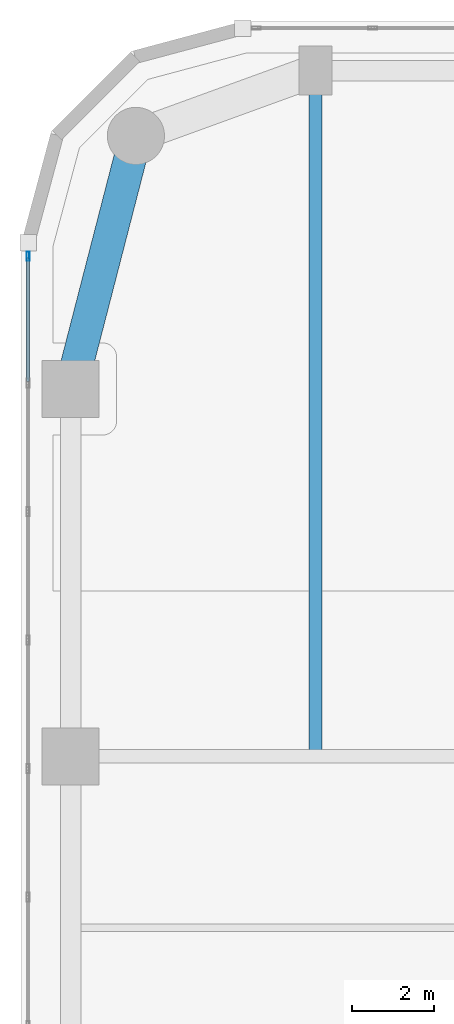
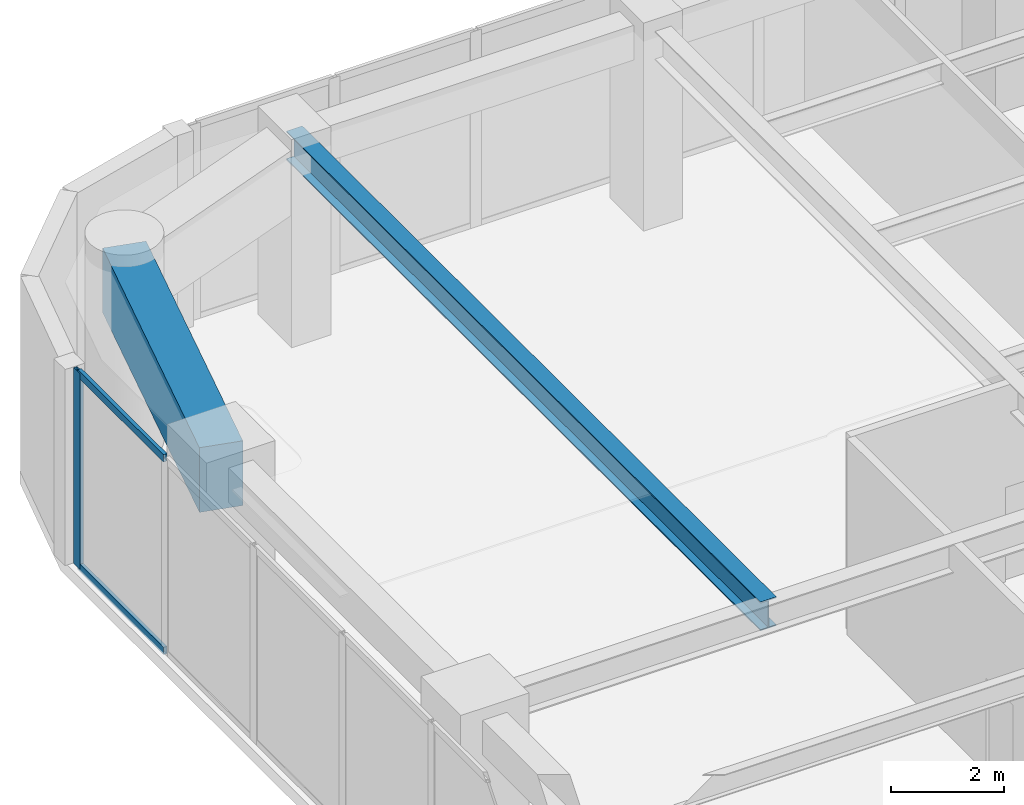
# One storey, part 8 of 20: 3 members, 2 beams, 1 element without a shape of its own.
"""IFC4 building model written with IfcOpenShell, lengths in metres."""

from ifc_helpers import new_model, si_unit, direction, frame, origin, origin_2d, place, context, subcontext, project, spatial, rectangle, hollow_rectangle, i_section, extrude, material, layer, layer_set, material_profile, profile_set, type_object, element, aggregate, save


model = new_model("IFC4")

# Units and contexts
model_context = context("Model", 3, precision=1e-05, world=origin(), true_north=direction((0.0, 1.0)))
body_context = subcontext(model_context, "Body", "Model", "MODEL_VIEW")
ifc_project = project(units=[si_unit("LENGTHUNIT", "METRE"), si_unit("AREAUNIT", "SQUARE_METRE"), si_unit("VOLUMEUNIT", "CUBIC_METRE"), si_unit("PLANEANGLEUNIT", "RADIAN"), si_unit("MASSUNIT", "GRAM", prefix="KILO")], contexts=[model_context])

# Site, building, storey
site_placement = place(None, origin())
site = spatial("IfcSite", under=ifc_project, at=site_placement, CompositionType="ELEMENT")
building_placement = place(site_placement, origin())
building = spatial("IfcBuilding", under=site, at=building_placement, Name="Kiyonajd Concourse Tower", CompositionType="ELEMENT")
storey_placement = place(building_placement, frame((0.0, 0.0, 125.39990234375)))
storey = spatial("IfcBuildingStorey", under=building, at=storey_placement, Name="L32", CompositionType="ELEMENT", Elevation=125.39990234375)

# Beams
ifc_material_1 = material(Name="Steel ASTM A992 Grade 50", Category="steel")
ifc_material_profile_1 = material_profile(ifc_material_1, i_section(OverallWidth=0.326904296875, OverallDepth=0.6220703125, WebThickness=0.015380859375, FlangeThickness=0.0244140625, at=origin_2d()), Name="W610X195")
ifc_profile_set_1 = profile_set([ifc_material_profile_1], Name="Steel ASTM A992 Grade 50")
beam_type_1 = type_object("IfcBeamType", Name="BM-TWR-610A", PredefinedType="BEAM", material=ifc_profile_set_1)
beam_1_placement = place(storey_placement, frame((25.199951171875, 44.39990234375, 3.92919921875), z_axis=(0.0, 1.0, 0.0), x_axis=(-1.0, 0.0, 0.0)))
element("IfcBeam", 1, at=beam_1_placement, inside=storey, type_object=beam_type_1, Name="L32 North Lease Girder", PredefinedType="BEAM", context=body_context, shape_type="SweptSolid", body=[
    extrude(i_section(OverallWidth=0.326904296875, OverallDepth=0.6220703125, WebThickness=0.015380859375, FlangeThickness=0.0244140625, at=origin_2d()), origin(), (0.0, 0.0, 1.0), 16.800048828125),
])
ifc_material_2 = material(Name="Concrete C60/75", Category="concrete")
ifc_material_profile_2 = material_profile(ifc_material_2, rectangle(XDim=0.800048828125, YDim=1.39990234375, at=origin_2d()), Name="RCBM-800x1400")
ifc_profile_set_2 = profile_set([ifc_material_profile_2], Name="Concrete C60/75")
beam_type_2 = type_object("IfcBeamType", Name="BM-XFER-RC", PredefinedType="BEAM", material=ifc_profile_set_2)
beam_2_placement = place(storey_placement, frame((20.800048828125, 59.60009765625, 3.5400390625), z_axis=(-0.249884937687, -0.968275538221, 0.0), x_axis=(0.968275538221, -0.249884937687, 0.0)))
element("IfcBeam", 2, at=beam_2_placement, inside=storey, type_object=beam_type_2, Name="L32 Perimeter Bundled Tube Spandrel", PredefinedType="BEAM", context=body_context, shape_type="SweptSolid", body=[
    extrude(rectangle(XDim=0.800048828125, YDim=1.39990234375, at=origin_2d()), origin(), (0.0, 0.0, 1.0), 6.4033203125),
])

# Curtain wall, members
ifc_material_3 = material(Name="Thermally Broken Anodised Aluminium", Category="aluminium")
ifc_layer = layer(ifc_material_3, 0.179931640625)
ifc_layer_set = layer_set([ifc_layer], Name="Thermally Broken Anodised Aluminium")
curtain_wall_type = type_object("IfcCurtainWallType", Name="CW-SYS-05", PredefinedType="NOTDEFINED", material=ifc_layer_set)
curtain_wall_placement = place(storey_placement, origin())
curtain_wall = element("IfcCurtainWall", 3, at=curtain_wall_placement, inside=storey, type_object=curtain_wall_type, Name="L32 Unitised Curtain Wall CW5", PredefinedType="NOTDEFINED")
ifc_material_profile_3 = material_profile(ifc_material_3, hollow_rectangle(XDim=0.074951171875, YDim=0.219970703125, WallThickness=0.0048828125, at=origin_2d()), Name="MULL-75x220")
ifc_profile_set_3 = profile_set([ifc_material_profile_3], Name="Thermally Broken Anodised Aluminium")
member_type_1 = type_object("IfcMemberType", Name="MB-CW-MULL2", PredefinedType="MULLION", material=ifc_profile_set_3)
member_1_placement = place(storey_placement, frame((18.159912109375, 56.6513671875, 0.0), z_axis=(0.0, 0.0, 1.0), x_axis=(-1.0, 0.0, 0.0)))
member_1 = element("IfcMember", 4, at=member_1_placement, type_object=member_type_1, Name="CW5 mullion 8", PredefinedType="MULLION", context=body_context, shape_type="SweptSolid", body=[
    extrude(hollow_rectangle(XDim=0.074951171875, YDim=0.219970703125, WallThickness=0.0048828125, at=origin_2d()), origin(), (0.0, 0.0, 1.0), 4.239990234375),
])
ifc_material_profile_4 = material_profile(ifc_material_3, hollow_rectangle(XDim=0.074951171875, YDim=0.159912109375, WallThickness=0.0048828125, at=origin_2d()), Name="TRAN-75x160")
ifc_profile_set_4 = profile_set([ifc_material_profile_4], Name="Thermally Broken Anodised Aluminium")
member_type_2 = type_object("IfcMemberType", Name="MB-CW-TRAN2", PredefinedType="USERDEFINED", material=ifc_profile_set_4)
member_2_placement = place(storey_placement, frame((18.159912109375, 53.577880859375, 0.03759765625), z_axis=(0.0, 1.0, 0.0), x_axis=(-1.0, 0.0, 0.0)))
member_2 = element("IfcMember", 5, at=member_2_placement, type_object=member_type_2, Name="CW5 transom 7.1", ObjectType="TRANSOM", PredefinedType="USERDEFINED", context=body_context, shape_type="SweptSolid", body=[
    extrude(hollow_rectangle(XDim=0.074951171875, YDim=0.159912109375, WallThickness=0.0048828125, at=origin_2d()), origin(), (0.0, 0.0, 1.0), 3.0361328125),
])
member_3_placement = place(storey_placement, frame((18.159912109375, 53.577880859375, 4.20263671875), z_axis=(0.0, 1.0, 0.0), x_axis=(-1.0, 0.0, 0.0)))
member_3 = element("IfcMember", 6, at=member_3_placement, type_object=member_type_2, Name="CW5 transom 7.2", ObjectType="TRANSOM", PredefinedType="USERDEFINED", context=body_context, shape_type="SweptSolid", body=[
    extrude(hollow_rectangle(XDim=0.074951171875, YDim=0.159912109375, WallThickness=0.0048828125, at=origin_2d()), origin(), (0.0, 0.0, 1.0), 3.0361328125),
])
aggregate(curtain_wall, [member_1, member_2, member_3])

save(model, "model.ifc")
